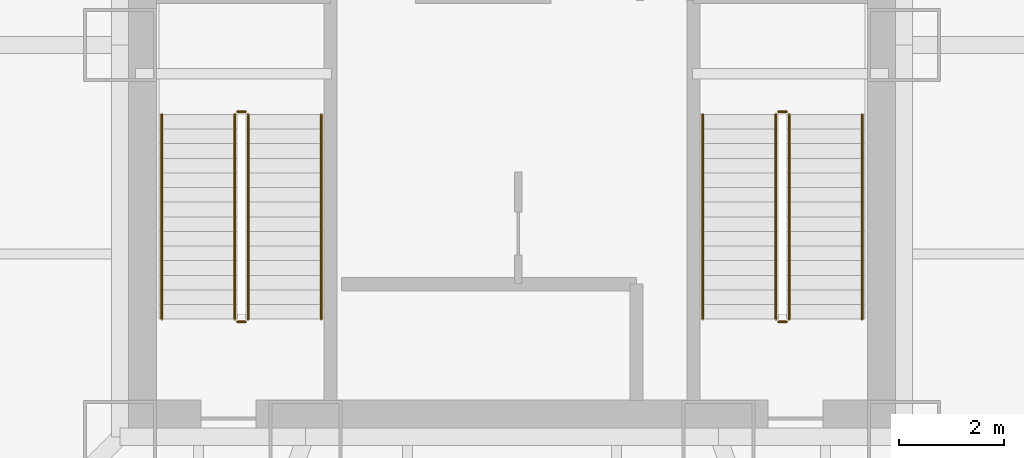
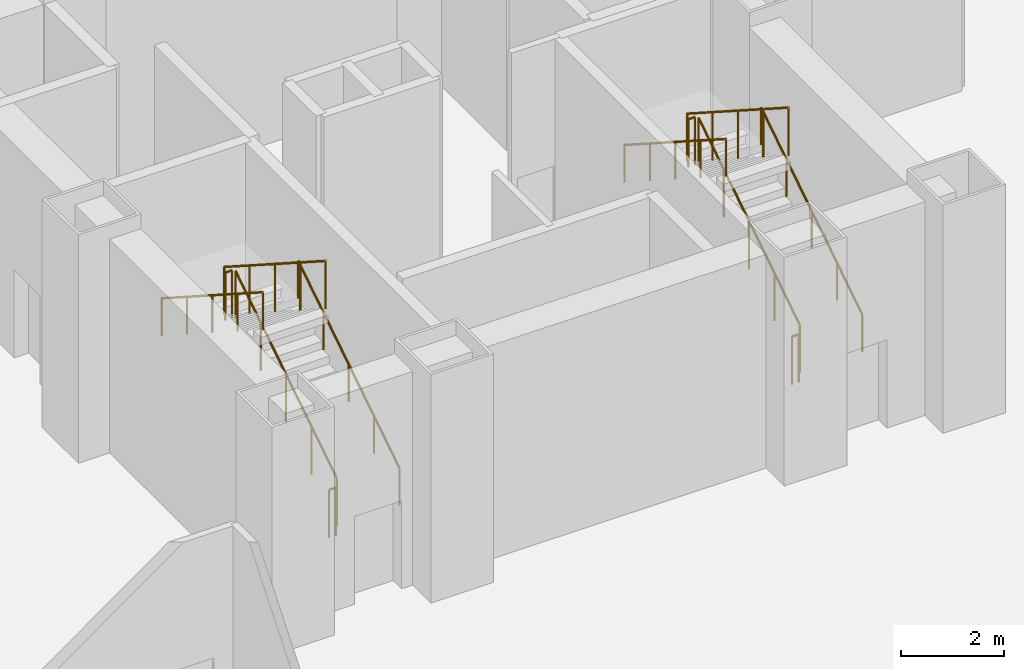
# One storey, part 10 of 14: 12 railings.
"""IFC4 building model written with IfcOpenShell, lengths in metres."""

from ifc_helpers import new_model, si_unit, direction, frame, origin, origin_2d, place, context, subcontext, project, spatial, circle, extrude, material, type_object, element, save


model = new_model("IFC4")

# Units and contexts
model_context = context("Model", 3, precision=1e-05, world=origin(), true_north=direction((0.0, 1.0)))
body_context = subcontext(model_context, "Body", "Model", "MODEL_VIEW")
ifc_project = project(units=[si_unit("LENGTHUNIT", "METRE"), si_unit("AREAUNIT", "SQUARE_METRE"), si_unit("VOLUMEUNIT", "CUBIC_METRE"), si_unit("PLANEANGLEUNIT", "RADIAN"), si_unit("MASSUNIT", "GRAM", prefix="KILO")], contexts=[model_context])

# Site, building, storey
site_placement = place(None, origin())
site = spatial("IfcSite", under=ifc_project, at=site_placement, CompositionType="ELEMENT")
building_placement = place(site_placement, origin())
building = spatial("IfcBuilding", under=site, at=building_placement, Name="Trevonay Congress Spire", CompositionType="ELEMENT")
storey_placement = place(building_placement, frame((0.0, 0.0, -5.39990234375)))
storey = spatial("IfcBuildingStorey", under=building, at=storey_placement, Name="B1", CompositionType="ELEMENT", Elevation=-5.39990234375)

# Railings
ifc_material = material(Name="Pale Anodised Aluminium EN AW-6063-T6", Category="aluminium")
railing_type_1 = type_object("IfcRailingType", Name="RAL-STAIR-GUARD-110", PredefinedType="GUARDRAIL", material=ifc_material)
railing_1_placement = place(storey_placement, frame((-5.050048828125, -5.25, 0.179931640625)))
element("IfcRailing", 1, at=railing_1_placement, inside=storey, type_object=railing_type_1, Name="B1 ST-1 stair guard 1", PredefinedType="GUARDRAIL", context=body_context, shape_type="SweptSolid", body=[
    extrude(circle(Radius=0.02392578125, at=origin_2d()), frame((0.0, 0.0, 1.1259765625), z_axis=(0.0, 0.841171666519, 0.540768182723), x_axis=(-1.0, 0.0, 0.0)), (0.0, 0.0, 1.0), 4.66015625),
    extrude(circle(Radius=0.02099609375, at=origin_2d()), origin(), (0.0, 0.0, 1.0), 1.101806640625),
    extrude(circle(Radius=0.02099609375, at=origin_2d()), frame((0.0, 0.97998046875, 0.6298828125)), (0.0, 0.0, 1.0), 1.101806640625),
    extrude(circle(Radius=0.02099609375, at=origin_2d()), frame((0.0, 1.9599609375, 1.260009765625)), (0.0, 0.0, 1.0), 1.101806640625),
    extrude(circle(Radius=0.02099609375, at=origin_2d()), frame((0.0, 2.93994140625, 1.89013671875)), (0.0, 0.0, 1.0), 1.101806640625),
    extrude(circle(Radius=0.02099609375, at=origin_2d()), frame((0.0, 3.919921875, 2.52001953125)), (0.0, 0.0, 1.0), 1.101806640625),
])
railing_2_placement = place(storey_placement, frame((-5.10009765625, -1.280029296875, 2.699951171875)))
element("IfcRailing", 2, at=railing_2_placement, inside=storey, type_object=railing_type_1, Name="B1 ST-1 stair guard 2", PredefinedType="GUARDRAIL", context=body_context, shape_type="SweptSolid", body=[
    extrude(circle(Radius=0.02392578125, at=origin_2d()), frame((0.0, 0.0, 1.1259765625), z_axis=(-1.0, 0.0, 0.0), x_axis=(0.0, -1.0, 0.0)), (0.0, 0.0, 1.0), 0.14990234375),
    extrude(circle(Radius=0.02099609375, at=origin_2d()), origin(), (0.0, 0.0, 1.0), 1.101806640625),
    extrude(circle(Radius=0.02099609375, at=origin_2d()), frame((-0.14990234375, 0.0, 0.0)), (0.0, 0.0, 1.0), 1.101806640625),
])
railing_3_placement = place(storey_placement, frame((-5.300048828125, -1.330078125, 2.8798828125)))
element("IfcRailing", 3, at=railing_3_placement, inside=storey, type_object=railing_type_1, Name="B1 ST-1 stair guard 3", PredefinedType="GUARDRAIL", context=body_context, shape_type="SweptSolid", body=[
    extrude(circle(Radius=0.02392578125, at=origin_2d()), frame((0.0, 0.0, 1.1259765625), z_axis=(0.0, -0.841171666519, 0.540768182723), x_axis=(1.0, 0.0, 0.0)), (0.0, 0.0, 1.0), 4.66015625),
    extrude(circle(Radius=0.02099609375, at=origin_2d()), origin(), (0.0, 0.0, 1.0), 1.101806640625),
    extrude(circle(Radius=0.02099609375, at=origin_2d()), frame((0.0, -0.97998046875, 0.6298828125)), (0.0, 0.0, 1.0), 1.101806640625),
    extrude(circle(Radius=0.02099609375, at=origin_2d()), frame((0.0, -1.9599609375, 1.260009765625)), (0.0, 0.0, 1.0), 1.101806640625),
    extrude(circle(Radius=0.02099609375, at=origin_2d()), frame((0.0, -2.93994140625, 1.89013671875)), (0.0, 0.0, 1.0), 1.101806640625),
    extrude(circle(Radius=0.02099609375, at=origin_2d()), frame((0.0, -3.919921875, 2.52001953125)), (0.0, 0.0, 1.0), 1.101806640625),
])
railing_4_placement = place(storey_placement, frame((-5.10009765625, -5.300048828125, 0.0)))
element("IfcRailing", 4, at=railing_4_placement, inside=storey, type_object=railing_type_1, Name="B1 ST-1 stair guard 4", PredefinedType="GUARDRAIL", context=body_context, shape_type="SweptSolid", body=[
    extrude(circle(Radius=0.02392578125, at=origin_2d()), frame((0.0, 0.0, 1.1259765625), z_axis=(-1.0, 0.0, 0.0), x_axis=(0.0, -1.0, 0.0)), (0.0, 0.0, 1.0), 0.14990234375),
    extrude(circle(Radius=0.02099609375, at=origin_2d()), origin(), (0.0, 0.0, 1.0), 1.101806640625),
    extrude(circle(Radius=0.02099609375, at=origin_2d()), frame((-0.14990234375, 0.0, 0.0)), (0.0, 0.0, 1.0), 1.101806640625),
])
railing_5_placement = place(storey_placement, frame((5.300048828125, -5.25, 0.179931640625)))
element("IfcRailing", 5, at=railing_5_placement, inside=storey, type_object=railing_type_1, Name="B1 ST-2 stair guard 1", PredefinedType="GUARDRAIL", context=body_context, shape_type="SweptSolid", body=[
    extrude(circle(Radius=0.02392578125, at=origin_2d()), frame((0.0, 0.0, 1.1259765625), z_axis=(0.0, 0.841171666519, 0.540768182723), x_axis=(-1.0, 0.0, 0.0)), (0.0, 0.0, 1.0), 4.66015625),
    extrude(circle(Radius=0.02099609375, at=origin_2d()), origin(), (0.0, 0.0, 1.0), 1.101806640625),
    extrude(circle(Radius=0.02099609375, at=origin_2d()), frame((0.0, 0.97998046875, 0.6298828125)), (0.0, 0.0, 1.0), 1.101806640625),
    extrude(circle(Radius=0.02099609375, at=origin_2d()), frame((0.0, 1.9599609375, 1.260009765625)), (0.0, 0.0, 1.0), 1.101806640625),
    extrude(circle(Radius=0.02099609375, at=origin_2d()), frame((0.0, 2.93994140625, 1.89013671875)), (0.0, 0.0, 1.0), 1.101806640625),
    extrude(circle(Radius=0.02099609375, at=origin_2d()), frame((0.0, 3.919921875, 2.52001953125)), (0.0, 0.0, 1.0), 1.101806640625),
])
railing_6_placement = place(storey_placement, frame((5.25, -1.280029296875, 2.699951171875)))
element("IfcRailing", 6, at=railing_6_placement, inside=storey, type_object=railing_type_1, Name="B1 ST-2 stair guard 2", PredefinedType="GUARDRAIL", context=body_context, shape_type="SweptSolid", body=[
    extrude(circle(Radius=0.02392578125, at=origin_2d()), frame((0.0, 0.0, 1.1259765625), z_axis=(-1.0, 0.0, 0.0), x_axis=(0.0, -1.0, 0.0)), (0.0, 0.0, 1.0), 0.14990234375),
    extrude(circle(Radius=0.02099609375, at=origin_2d()), origin(), (0.0, 0.0, 1.0), 1.101806640625),
    extrude(circle(Radius=0.02099609375, at=origin_2d()), frame((-0.14990234375, 0.0, 0.0)), (0.0, 0.0, 1.0), 1.101806640625),
])
railing_7_placement = place(storey_placement, frame((5.050048828125, -1.330078125, 2.8798828125)))
element("IfcRailing", 7, at=railing_7_placement, inside=storey, type_object=railing_type_1, Name="B1 ST-2 stair guard 3", PredefinedType="GUARDRAIL", context=body_context, shape_type="SweptSolid", body=[
    extrude(circle(Radius=0.02392578125, at=origin_2d()), frame((0.0, 0.0, 1.1259765625), z_axis=(0.0, -0.841171666519, 0.540768182723), x_axis=(1.0, 0.0, 0.0)), (0.0, 0.0, 1.0), 4.66015625),
    extrude(circle(Radius=0.02099609375, at=origin_2d()), origin(), (0.0, 0.0, 1.0), 1.101806640625),
    extrude(circle(Radius=0.02099609375, at=origin_2d()), frame((0.0, -0.97998046875, 0.6298828125)), (0.0, 0.0, 1.0), 1.101806640625),
    extrude(circle(Radius=0.02099609375, at=origin_2d()), frame((0.0, -1.9599609375, 1.260009765625)), (0.0, 0.0, 1.0), 1.101806640625),
    extrude(circle(Radius=0.02099609375, at=origin_2d()), frame((0.0, -2.93994140625, 1.89013671875)), (0.0, 0.0, 1.0), 1.101806640625),
    extrude(circle(Radius=0.02099609375, at=origin_2d()), frame((0.0, -3.919921875, 2.52001953125)), (0.0, 0.0, 1.0), 1.101806640625),
])
railing_8_placement = place(storey_placement, frame((5.25, -5.300048828125, 0.0)))
element("IfcRailing", 8, at=railing_8_placement, inside=storey, type_object=railing_type_1, Name="B1 ST-2 stair guard 4", PredefinedType="GUARDRAIL", context=body_context, shape_type="SweptSolid", body=[
    extrude(circle(Radius=0.02392578125, at=origin_2d()), frame((0.0, 0.0, 1.1259765625), z_axis=(-1.0, 0.0, 0.0), x_axis=(0.0, -1.0, 0.0)), (0.0, 0.0, 1.0), 0.14990234375),
    extrude(circle(Radius=0.02099609375, at=origin_2d()), origin(), (0.0, 0.0, 1.0), 1.101806640625),
    extrude(circle(Radius=0.02099609375, at=origin_2d()), frame((-0.14990234375, 0.0, 0.0)), (0.0, 0.0, 1.0), 1.101806640625),
])
railing_type_2 = type_object("IfcRailingType", Name="RAL-STAIR-HANDRAIL", PredefinedType="HANDRAIL", material=ifc_material)
railing_9_placement = place(storey_placement, frame((-3.64990234375, -5.25, 0.179931640625)))
element("IfcRailing", 9, at=railing_9_placement, inside=storey, type_object=railing_type_2, Name="B1 ST-1 stair handrail 1", PredefinedType="HANDRAIL", context=body_context, shape_type="SweptSolid", body=[
    extrude(circle(Radius=0.02392578125, at=origin_2d()), frame((0.0, 0.0, 0.8759765625), z_axis=(0.0, 0.841171666519, 0.540768182723), x_axis=(-1.0, 0.0, 0.0)), (0.0, 0.0, 1.0), 4.66015625),
    extrude(circle(Radius=0.02099609375, at=origin_2d()), origin(), (0.0, 0.0, 1.0), 0.851806640625),
    extrude(circle(Radius=0.02099609375, at=origin_2d()), frame((0.0, 0.97998046875, 0.6298828125)), (0.0, 0.0, 1.0), 0.851806640625),
    extrude(circle(Radius=0.02099609375, at=origin_2d()), frame((0.0, 1.9599609375, 1.260009765625)), (0.0, 0.0, 1.0), 0.851806640625),
    extrude(circle(Radius=0.02099609375, at=origin_2d()), frame((0.0, 2.93994140625, 1.89013671875)), (0.0, 0.0, 1.0), 0.851806640625),
    extrude(circle(Radius=0.02099609375, at=origin_2d()), frame((0.0, 3.919921875, 2.52001953125)), (0.0, 0.0, 1.0), 0.851806640625),
])
railing_10_placement = place(storey_placement, frame((-6.699951171875, -1.330078125, 2.8798828125)))
element("IfcRailing", 10, at=railing_10_placement, inside=storey, type_object=railing_type_2, Name="B1 ST-1 stair handrail 2", PredefinedType="HANDRAIL", context=body_context, shape_type="SweptSolid", body=[
    extrude(circle(Radius=0.02392578125, at=origin_2d()), frame((0.0, 0.0, 0.8759765625), z_axis=(0.0, -0.841171666519, 0.540768182723), x_axis=(1.0, 0.0, 0.0)), (0.0, 0.0, 1.0), 4.66015625),
    extrude(circle(Radius=0.02099609375, at=origin_2d()), origin(), (0.0, 0.0, 1.0), 0.851806640625),
    extrude(circle(Radius=0.02099609375, at=origin_2d()), frame((0.0, -0.97998046875, 0.6298828125)), (0.0, 0.0, 1.0), 0.851806640625),
    extrude(circle(Radius=0.02099609375, at=origin_2d()), frame((0.0, -1.9599609375, 1.260009765625)), (0.0, 0.0, 1.0), 0.851806640625),
    extrude(circle(Radius=0.02099609375, at=origin_2d()), frame((0.0, -2.93994140625, 1.89013671875)), (0.0, 0.0, 1.0), 0.851806640625),
    extrude(circle(Radius=0.02099609375, at=origin_2d()), frame((0.0, -3.919921875, 2.52001953125)), (0.0, 0.0, 1.0), 0.851806640625),
])
railing_11_placement = place(storey_placement, frame((6.699951171875, -5.25, 0.179931640625)))
element("IfcRailing", 11, at=railing_11_placement, inside=storey, type_object=railing_type_2, Name="B1 ST-2 stair handrail 1", PredefinedType="HANDRAIL", context=body_context, shape_type="SweptSolid", body=[
    extrude(circle(Radius=0.02392578125, at=origin_2d()), frame((0.0, 0.0, 0.8759765625), z_axis=(0.0, 0.841171666519, 0.540768182723), x_axis=(-1.0, 0.0, 0.0)), (0.0, 0.0, 1.0), 4.66015625),
    extrude(circle(Radius=0.02099609375, at=origin_2d()), origin(), (0.0, 0.0, 1.0), 0.851806640625),
    extrude(circle(Radius=0.02099609375, at=origin_2d()), frame((0.0, 0.97998046875, 0.6298828125)), (0.0, 0.0, 1.0), 0.851806640625),
    extrude(circle(Radius=0.02099609375, at=origin_2d()), frame((0.0, 1.9599609375, 1.260009765625)), (0.0, 0.0, 1.0), 0.851806640625),
    extrude(circle(Radius=0.02099609375, at=origin_2d()), frame((0.0, 2.93994140625, 1.89013671875)), (0.0, 0.0, 1.0), 0.851806640625),
    extrude(circle(Radius=0.02099609375, at=origin_2d()), frame((0.0, 3.919921875, 2.52001953125)), (0.0, 0.0, 1.0), 0.851806640625),
])
railing_12_placement = place(storey_placement, frame((3.64990234375, -1.330078125, 2.8798828125)))
element("IfcRailing", 12, at=railing_12_placement, inside=storey, type_object=railing_type_2, Name="B1 ST-2 stair handrail 2", PredefinedType="HANDRAIL", context=body_context, shape_type="SweptSolid", body=[
    extrude(circle(Radius=0.02392578125, at=origin_2d()), frame((0.0, 0.0, 0.8759765625), z_axis=(0.0, -0.841171666519, 0.540768182723), x_axis=(1.0, 0.0, 0.0)), (0.0, 0.0, 1.0), 4.66015625),
    extrude(circle(Radius=0.02099609375, at=origin_2d()), origin(), (0.0, 0.0, 1.0), 0.851806640625),
    extrude(circle(Radius=0.02099609375, at=origin_2d()), frame((0.0, -0.97998046875, 0.6298828125)), (0.0, 0.0, 1.0), 0.851806640625),
    extrude(circle(Radius=0.02099609375, at=origin_2d()), frame((0.0, -1.9599609375, 1.260009765625)), (0.0, 0.0, 1.0), 0.851806640625),
    extrude(circle(Radius=0.02099609375, at=origin_2d()), frame((0.0, -2.93994140625, 1.89013671875)), (0.0, 0.0, 1.0), 0.851806640625),
    extrude(circle(Radius=0.02099609375, at=origin_2d()), frame((0.0, -3.919921875, 2.52001953125)), (0.0, 0.0, 1.0), 0.851806640625),
])

save(model, "model.ifc")
